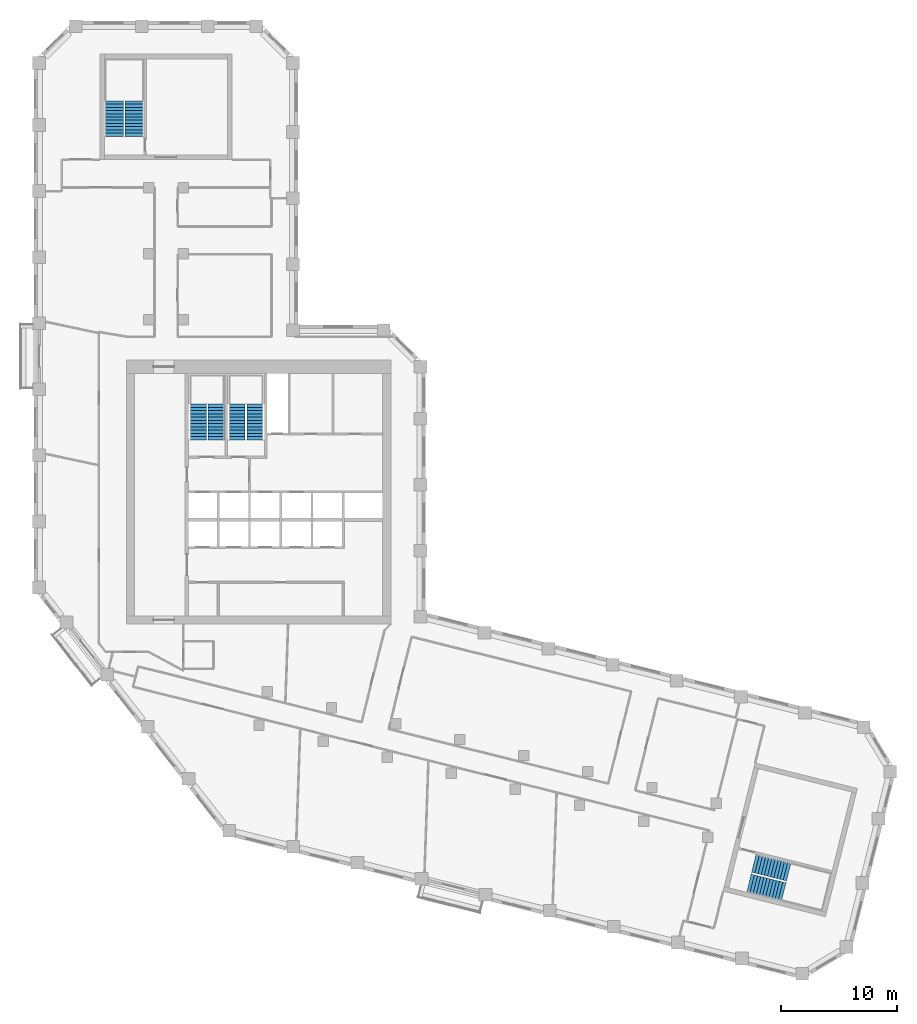
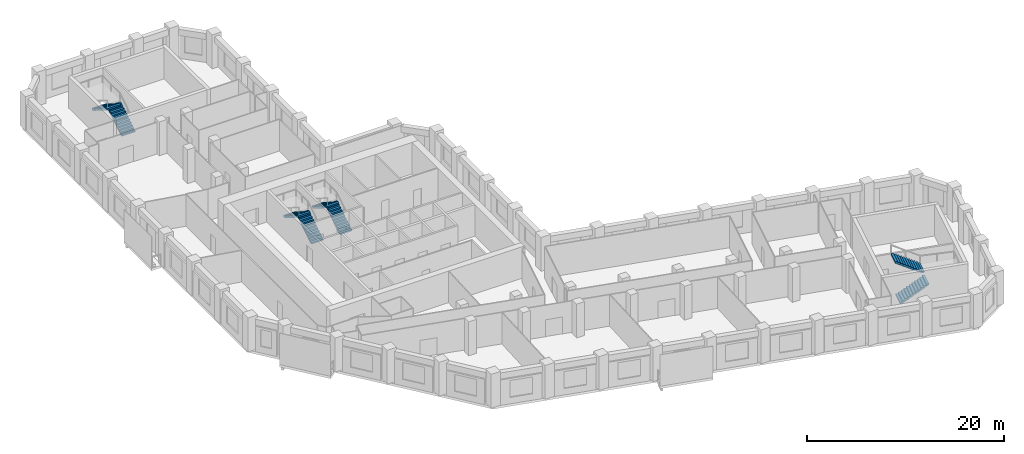
# One storey, part 9 of 10: 8 stair flights, 4 elements without a shape of their own.
"""IFC4 building model written with IfcOpenShell, lengths in metres."""

import ifcopenshell
import ifcopenshell.guid

model = None  # the IFC model being written
_history = None  # IfcOwnerHistory: only IFC2X3 demands one
_inside = {}  # id of a spatial element -> (the spatial element, [elements in it])
_under = {}  # id of a project, library or spatial element -> (it, [spatial elements below it])
_declared = {}  # id of a project -> (the project, [libraries it declares])
_typed = {}  # id of a type object -> (the type object, [elements of that type])
_made_of = {}  # id of a material, layer set ... -> (it, [elements and type objects made of it])


def new_model(schema):
    """Start an empty IFC model of exactly this schema.

    Asked for "IFC4X3", IfcOpenShell would pick the latest addendum, in which some entities
    have other attributes; the version numbers below select the first issue.
    IFC2X3 requires an IfcOwnerHistory on every rooted entity: one is made here for all.
    """
    global model, _history
    if schema == "IFC4X3":
        model = ifcopenshell.file(schema_version=(4, 3, 0, 0))
    else:
        model = ifcopenshell.file(schema=schema)
    _inside.clear()
    _under.clear()
    _declared.clear()
    _typed.clear()
    _made_of.clear()
    _history = None
    if model.schema == "IFC2X3":
        org = make("IfcOrganization", Name="unknown")
        user = make(
            "IfcPersonAndOrganization",
            ThePerson=make("IfcPerson", FamilyName="unknown"),
            TheOrganization=org,
        )
        app = make(
            "IfcApplication",
            ApplicationDeveloper=org,
            Version="unknown",
            ApplicationFullName="unknown",
            ApplicationIdentifier="unknown",
        )
        _history = make(
            "IfcOwnerHistory",
            OwningUser=user,
            OwningApplication=app,
            ChangeAction="ADDED",
            CreationDate=0,
        )
    return model


def make(cls, **values):
    """One entity of the class cls with the attributes given. An attribute that is None is left unset."""
    return model.create_entity(
        cls, **{name: value for name, value in values.items() if value is not None}
    )


def rooted(cls, **values):
    """An entity with a GlobalId (a new one), such as an element, a storey or a relation."""
    return make(cls, GlobalId=ifcopenshell.guid.new(), OwnerHistory=_history, **values)


def si_unit(unit_type, name, prefix=None):
    """IfcSIUnit, for example si_unit("LENGTHUNIT", "METRE", prefix="MILLI")."""
    return make("IfcSIUnit", UnitType=unit_type, Prefix=prefix, Name=name)


def assignment(units):
    """IfcUnitAssignment: the units of a project."""
    return None if units is None else make("IfcUnitAssignment", Units=units)


def point(xyz):
    """IfcCartesianPoint."""
    return None if xyz is None else make("IfcCartesianPoint", Coordinates=xyz)


def direction(xyz):
    """IfcDirection."""
    return None if xyz is None else make("IfcDirection", DirectionRatios=xyz)


def frame(location, z_axis=None, x_axis=None):
    """IfcAxis2Placement3D, a coordinate frame: its origin and axes. An axis left out is left unset."""
    return make(
        "IfcAxis2Placement3D",
        Location=point(location),
        Axis=direction(z_axis),
        RefDirection=direction(x_axis),
    )


def origin():
    """The frame at (0, 0, 0) with its axes left unset."""
    return frame((0.0, 0.0, 0.0))


def place(relative_to, where):
    """IfcLocalPlacement: puts the frame where relative to a parent placement (None: the world)."""
    return make(
        "IfcLocalPlacement", PlacementRelTo=relative_to, RelativePlacement=where
    )


def context(
    kind, dimensions, precision=None, world=None, true_north=None, identifier=None
):
    """IfcGeometricRepresentationContext, for example the 3D "Model" context."""
    return make(
        "IfcGeometricRepresentationContext",
        ContextIdentifier=identifier,
        ContextType=kind,
        CoordinateSpaceDimension=dimensions,
        Precision=precision,
        WorldCoordinateSystem=world,
        TrueNorth=true_north,
    )


def subcontext(parent, identifier, kind, view, scale=None):
    """IfcGeometricRepresentationSubContext, for example "Body" below "Model"."""
    return make(
        "IfcGeometricRepresentationSubContext",
        ContextIdentifier=identifier,
        ContextType=kind,
        ParentContext=parent,
        TargetScale=scale,
        TargetView=view,
    )


def project(units=None, contexts=None):
    """IfcProject with its units and contexts."""
    return rooted(
        "IfcProject",
        Name="project",
        RepresentationContexts=contexts,
        UnitsInContext=assignment(units),
    )


def spatial(cls, under=None, at=None, **own):
    """A site, building, storey or space (cls), placed at a placement, below another one or the project."""
    s = rooted(cls, ObjectPlacement=at, **own)
    if under is not None:
        _under.setdefault(under.id(), (under, []))[1].append(s)
    return s


def polyline(points):
    """IfcPolyline through the points."""
    return make("IfcPolyline", Points=[point(p) for p in points])


def outline(outer, holes=None, kind="AREA"):
    """IfcArbitraryClosedProfileDef: a profile drawn as a closed curve; with holes, ...WithVoids."""
    if holes is None:
        return make("IfcArbitraryClosedProfileDef", ProfileType=kind, OuterCurve=outer)
    return make(
        "IfcArbitraryProfileDefWithVoids",
        ProfileType=kind,
        OuterCurve=outer,
        InnerCurves=holes,
    )


def extrude(swept, where, along, depth):
    """IfcExtrudedAreaSolid: the profile swept, set in the frame where, extruded along a direction by depth."""
    return make(
        "IfcExtrudedAreaSolid",
        SweptArea=swept,
        Position=where,
        ExtrudedDirection=direction(along),
        Depth=depth,
    )


def shape(context_of_items, identifier, shape_type, items):
    """IfcShapeRepresentation: the items that make up one representation, for example the "Body"."""
    return make(
        "IfcShapeRepresentation",
        ContextOfItems=context_of_items,
        RepresentationIdentifier=identifier,
        RepresentationType=shape_type,
        Items=items,
    )


def material(Name=None, Category=None):
    """IfcMaterial."""
    return make("IfcMaterial", Name=Name, Category=Category)


def made_of(thing, what):
    """Note that an element or type object is made of a material, layer set ...; save() writes the relation."""
    if what is not None:
        _made_of.setdefault(what.id(), (what, []))[1].append(thing)
    return thing


def type_object(cls, material=None, **own):
    """A type object (cls), such as IfcWallType, which elements share."""
    return made_of(rooted(cls, **own), material)


def element(
    cls,
    number,
    at=None,
    inside=None,
    cuts=None,
    type_object=None,
    material=None,
    context=None,
    identifier="Body",
    shape_type=None,
    held_by="IfcProductDefinitionShape",
    body=None,
    shapes=None,
    **own,
):
    """One element of the class cls, such as IfcWall. Its Tag is "e" and its number.

    at: its placement. inside: the storey or other place that contains it. cuts: it is an
    opening in that element (IfcRelVoidsElement). A single representation is given by context,
    identifier, shape_type and body (its items); several are given by shapes. held_by: the class
    of the entity that holds the representations. save() writes the other relations.
    """
    e = rooted(cls, Tag="e%d" % number, ObjectPlacement=at, **own)
    if body is not None:
        shapes = [shape(context, identifier, shape_type, body)]
    if shapes is not None:
        e.Representation = make(held_by, Representations=shapes)
    if inside is not None:
        _inside.setdefault(inside.id(), (inside, []))[1].append(e)
    if cuts is not None:
        rooted(
            "IfcRelVoidsElement", RelatingBuildingElement=cuts, RelatedOpeningElement=e
        )
    if type_object is not None:
        _typed.setdefault(type_object.id(), (type_object, []))[1].append(e)
    return made_of(e, material)


def aggregate(whole, parts):
    """IfcRelAggregates: a whole, such as a stair, and the parts it consists of."""
    return rooted("IfcRelAggregates", RelatingObject=whole, RelatedObjects=parts)


def save(model, path):
    """Write the relations noted so far, then the file.

    IfcRelAggregates (storeys below a building ...), IfcRelContainedInSpatialStructure (elements
    in a storey), IfcRelDefinesByType, IfcRelAssociatesMaterial and IfcRelDeclares: one each for
    every whole, place, type object, material and project.
    """
    for whole, parts in _under.values():
        aggregate(whole, parts)
    for where, things in _inside.values():
        rooted(
            "IfcRelContainedInSpatialStructure",
            RelatedElements=things,
            RelatingStructure=where,
        )
    for kind, things in _typed.values():
        rooted("IfcRelDefinesByType", RelatedObjects=things, RelatingType=kind)
    for what, things in _made_of.values():
        rooted("IfcRelAssociatesMaterial", RelatedObjects=things, RelatingMaterial=what)
    for by, libraries in _declared.values():
        rooted("IfcRelDeclares", RelatingContext=by, RelatedDefinitions=libraries)
    model.write(path)


model = new_model("IFC4")

# Units and contexts
model_context = context("Model", 3, precision=1e-05, world=origin(), true_north=direction((0.0, 1.0)))
body_context = subcontext(model_context, "Body", "Model", "MODEL_VIEW")
ifc_project = project(units=[si_unit("LENGTHUNIT", "METRE"), si_unit("AREAUNIT", "SQUARE_METRE"), si_unit("VOLUMEUNIT", "CUBIC_METRE"), si_unit("PLANEANGLEUNIT", "RADIAN"), si_unit("MASSUNIT", "GRAM", prefix="KILO")], contexts=[model_context])

# Site, building, storey
site_placement = place(None, origin())
site = spatial("IfcSite", under=ifc_project, at=site_placement, CompositionType="ELEMENT")
building_placement = place(site_placement, origin())
building = spatial("IfcBuilding", under=site, at=building_placement, Name="Meshkara Civic Tower", CompositionType="ELEMENT")
storey_placement = place(building_placement, frame((0.0, 0.0, 250.800048828125)))
storey = spatial("IfcBuildingStorey", under=building, at=storey_placement, Name="L57", CompositionType="ELEMENT", Elevation=250.800048828125)

# Stair, stair flights
ifc_material_1 = material(Name="Precast concrete C40/50", Category="concrete")
stair_type_1 = type_object("IfcStairType", Name="Exit stair half-turn 24 risers 1600 precast", PredefinedType="HALF_TURN_STAIR", material=ifc_material_1)
stair_1_placement = place(storey_placement, origin())
stair_1 = element("IfcStair", 1, at=stair_1_placement, inside=storey, type_object=stair_type_1, Name="L57 exit stair A from L50", PredefinedType="HALF_TURN_STAIR")
ifc_material_2 = material(Name="Precast concrete C40/50", Category="concrete")
stair_flight_type_1 = type_object("IfcStairFlightType", Name="Exit stair flight 12 risers 1600 precast", PredefinedType="STRAIGHT", material=ifc_material_2)
stair_flight_1_placement = place(storey_placement, frame((8.675048828125, 56.169921875, 0.0), z_axis=(0.0, 0.0, 1.0), x_axis=(0.0, 1.0, 0.0)))
stair_flight_1 = element("IfcStairFlight", 2, at=stair_flight_1_placement, type_object=stair_flight_type_1, Name="ESA4 flight 1", NumberOfRisers=12, NumberOfTreads=11, PredefinedType="STRAIGHT", RiserHeight=0.175, TreadLength=0.28, context=body_context, shape_type="SweptSolid", body=[
    extrude(outline(polyline([(0.0, 0.0), (0.0, 0.175048828125), (0.280029296875, 0.175048828125), (0.280029296875, 0.35009765625), (0.56005859375, 0.35009765625), (0.56005859375, 0.52490234375), (0.840087890625, 0.52490234375), (0.840087890625, 0.699951171875), (1.1201171875, 0.699951171875), (1.1201171875, 0.875), (1.39990234375, 0.875), (1.39990234375, 1.050048828125), (1.679931640625, 1.050048828125), (1.679931640625, 1.22509765625), (1.9599609375, 1.22509765625), (1.9599609375, 1.39990234375), (2.239990234375, 1.39990234375), (2.239990234375, 1.574951171875), (2.52001953125, 1.574951171875), (2.52001953125, 1.75), (2.800048828125, 1.75), (2.800048828125, 1.925048828125), (3.080078125, 1.925048828125), (3.080078125, 2.10009765625), (3.080078125, 1.748291015625), (0.28271484375, 0.0), (0.0, 0.0)])), frame((0.0, 0.800048828125, 0.0), z_axis=(0.0, -1.0, 0.0), x_axis=(1.0, 0.0, 0.0)), (0.0, 0.0, 1.0), 1.60009765625),
])
stair_flight_2_placement = place(storey_placement, frame((6.925048828125, 59.25, 2.099853515625), z_axis=(0.0, 0.0, 1.0), x_axis=(0.0, -1.0, 0.0)))
stair_flight_2 = element("IfcStairFlight", 3, at=stair_flight_2_placement, type_object=stair_flight_type_1, Name="ESA4 flight 2", NumberOfRisers=12, NumberOfTreads=11, PredefinedType="STRAIGHT", RiserHeight=0.175, TreadLength=0.28, context=body_context, shape_type="SweptSolid", body=[
    extrude(outline(polyline([(0.0, 0.0), (0.0, 0.175048828125), (0.280029296875, 0.175048828125), (0.280029296875, 0.35009765625), (0.56005859375, 0.35009765625), (0.56005859375, 0.52490234375), (0.840087890625, 0.52490234375), (0.840087890625, 0.699951171875), (1.1201171875, 0.699951171875), (1.1201171875, 0.875), (1.39990234375, 0.875), (1.39990234375, 1.050048828125), (1.679931640625, 1.050048828125), (1.679931640625, 1.22509765625), (1.9599609375, 1.22509765625), (1.9599609375, 1.39990234375), (2.239990234375, 1.39990234375), (2.239990234375, 1.574951171875), (2.52001953125, 1.574951171875), (2.52001953125, 1.75), (2.800048828125, 1.75), (2.800048828125, 1.925048828125), (3.080078125, 1.925048828125), (3.080078125, 2.10009765625), (3.080078125, 1.748291015625), (0.28271484375, 0.0), (0.0, 0.0)])), frame((0.0, 0.800048828125, 0.0), z_axis=(0.0, -1.0, 0.0), x_axis=(1.0, 0.0, 0.0)), (0.0, 0.0, 1.0), 1.60009765625),
])
aggregate(stair_1, [stair_flight_1, stair_flight_2])

stair_2_placement = place(storey_placement, origin())
stair_2 = element("IfcStair", 4, at=stair_2_placement, inside=storey, type_object=stair_type_1, Name="L57 exit stair B from L50", PredefinedType="HALF_TURN_STAIR")
stair_flight_3_placement = place(storey_placement, frame((61.70751953125, -8.248291015625, 0.0), z_axis=(0.0, 0.0, 1.0), x_axis=(0.970260066579, -0.242064873955, 0.0)))
stair_flight_3 = element("IfcStairFlight", 5, at=stair_flight_3_placement, type_object=stair_flight_type_1, Name="ESB4 flight 1", NumberOfRisers=12, NumberOfTreads=11, PredefinedType="STRAIGHT", RiserHeight=0.175, TreadLength=0.28, context=body_context, shape_type="SweptSolid", body=[
    extrude(outline(polyline([(0.0, 0.0), (0.0, 0.175048828125), (0.280029296875, 0.175048828125), (0.280029296875, 0.35009765625), (0.56005859375, 0.35009765625), (0.56005859375, 0.52490234375), (0.840087890625, 0.52490234375), (0.840087890625, 0.699951171875), (1.1201171875, 0.699951171875), (1.1201171875, 0.875), (1.39990234375, 0.875), (1.39990234375, 1.050048828125), (1.679931640625, 1.050048828125), (1.679931640625, 1.22509765625), (1.9599609375, 1.22509765625), (1.9599609375, 1.39990234375), (2.239990234375, 1.39990234375), (2.239990234375, 1.574951171875), (2.52001953125, 1.574951171875), (2.52001953125, 1.75), (2.800048828125, 1.75), (2.800048828125, 1.925048828125), (3.080078125, 1.925048828125), (3.080078125, 2.10009765625), (3.080078125, 1.748291015625), (0.28271484375, 0.0), (0.0, 0.0)])), frame((0.0, 0.800048828125, 0.0), z_axis=(0.0, -1.0, 0.0), x_axis=(1.0, 0.0, 0.0)), (0.0, 0.0, 1.0), 1.60009765625),
])
stair_flight_4_placement = place(storey_placement, frame((65.11962890625, -7.2958984375, 2.099853515625), z_axis=(0.0, 0.0, 1.0), x_axis=(-0.970260066579, 0.242064873955, 0.0)))
stair_flight_4 = element("IfcStairFlight", 6, at=stair_flight_4_placement, type_object=stair_flight_type_1, Name="ESB4 flight 2", NumberOfRisers=12, NumberOfTreads=11, PredefinedType="STRAIGHT", RiserHeight=0.175, TreadLength=0.28, context=body_context, shape_type="SweptSolid", body=[
    extrude(outline(polyline([(0.0, 0.0), (0.0, 0.175048828125), (0.280029296875, 0.175048828125), (0.280029296875, 0.35009765625), (0.56005859375, 0.35009765625), (0.56005859375, 0.52490234375), (0.840087890625, 0.52490234375), (0.840087890625, 0.699951171875), (1.1201171875, 0.699951171875), (1.1201171875, 0.875), (1.39990234375, 0.875), (1.39990234375, 1.050048828125), (1.679931640625, 1.050048828125), (1.679931640625, 1.22509765625), (1.9599609375, 1.22509765625), (1.9599609375, 1.39990234375), (2.239990234375, 1.39990234375), (2.239990234375, 1.574951171875), (2.52001953125, 1.574951171875), (2.52001953125, 1.75), (2.800048828125, 1.75), (2.800048828125, 1.925048828125), (3.080078125, 1.925048828125), (3.080078125, 2.10009765625), (3.080078125, 1.748291015625), (0.28271484375, 0.0), (0.0, 0.0)])), frame((0.0, 0.800048828125, 0.0), z_axis=(0.0, -1.0, 0.0), x_axis=(1.0, 0.0, 0.0)), (0.0, 0.0, 1.0), 1.60009765625),
])
aggregate(stair_2, [stair_flight_3, stair_flight_4])

ifc_material_3 = material(Name="Precast concrete C40/50", Category="concrete")
stair_type_2 = type_object("IfcStairType", Name="Exit stair half-turn 24 risers precast", PredefinedType="HALF_TURN_STAIR", material=ifc_material_3)
stair_3_placement = place(storey_placement, origin())
stair_3 = element("IfcStair", 7, at=stair_3_placement, inside=storey, type_object=stair_type_2, Name="L57 exit stair 1", PredefinedType="HALF_TURN_STAIR")
ifc_material_4 = material(Name="Precast concrete C40/50", Category="concrete")
stair_flight_type_2 = type_object("IfcStairFlightType", Name="Exit stair flight 12 risers precast", PredefinedType="STRAIGHT", material=ifc_material_4)
stair_flight_5_placement = place(storey_placement, frame((15.72509765625, 30.0, 0.0), z_axis=(0.0, 0.0, 1.0), x_axis=(0.0, 1.0, 0.0)))
stair_flight_5 = element("IfcStairFlight", 8, at=stair_flight_5_placement, type_object=stair_flight_type_2, Name="ST1 flight 1", NumberOfRisers=12, NumberOfTreads=11, PredefinedType="STRAIGHT", RiserHeight=0.175, TreadLength=0.28, context=body_context, shape_type="SweptSolid", body=[
    extrude(outline(polyline([(0.0, 0.0), (0.0, 0.175048828125), (0.280029296875, 0.175048828125), (0.280029296875, 0.35009765625), (0.56005859375, 0.35009765625), (0.56005859375, 0.52490234375), (0.840087890625, 0.52490234375), (0.840087890625, 0.699951171875), (1.1201171875, 0.699951171875), (1.1201171875, 0.875), (1.39990234375, 0.875), (1.39990234375, 1.050048828125), (1.679931640625, 1.050048828125), (1.679931640625, 1.22509765625), (1.9599609375, 1.22509765625), (1.9599609375, 1.39990234375), (2.239990234375, 1.39990234375), (2.239990234375, 1.574951171875), (2.52001953125, 1.574951171875), (2.52001953125, 1.75), (2.800048828125, 1.75), (2.800048828125, 1.925048828125), (3.080078125, 1.925048828125), (3.080078125, 2.10009765625), (3.080078125, 1.748291015625), (0.28271484375, 0.0), (0.0, 0.0)])), frame((0.0, 0.699951171875, 0.0), z_axis=(0.0, -1.0, 0.0), x_axis=(1.0, 0.0, 0.0)), (0.0, 0.0, 1.0), 1.39990234375),
])
stair_flight_6_placement = place(storey_placement, frame((14.175048828125, 33.080078125, 2.099853515625), z_axis=(0.0, 0.0, 1.0), x_axis=(0.0, -1.0, 0.0)))
stair_flight_6 = element("IfcStairFlight", 9, at=stair_flight_6_placement, type_object=stair_flight_type_2, Name="ST1 flight 2", NumberOfRisers=12, NumberOfTreads=11, PredefinedType="STRAIGHT", RiserHeight=0.175, TreadLength=0.28, context=body_context, shape_type="SweptSolid", body=[
    extrude(outline(polyline([(0.0, 0.0), (0.0, 0.175048828125), (0.280029296875, 0.175048828125), (0.280029296875, 0.35009765625), (0.56005859375, 0.35009765625), (0.56005859375, 0.52490234375), (0.840087890625, 0.52490234375), (0.840087890625, 0.699951171875), (1.1201171875, 0.699951171875), (1.1201171875, 0.875), (1.39990234375, 0.875), (1.39990234375, 1.050048828125), (1.679931640625, 1.050048828125), (1.679931640625, 1.22509765625), (1.9599609375, 1.22509765625), (1.9599609375, 1.39990234375), (2.239990234375, 1.39990234375), (2.239990234375, 1.574951171875), (2.52001953125, 1.574951171875), (2.52001953125, 1.75), (2.800048828125, 1.75), (2.800048828125, 1.925048828125), (3.080078125, 1.925048828125), (3.080078125, 2.10009765625), (3.080078125, 1.748291015625), (0.28271484375, 0.0), (0.0, 0.0)])), frame((0.0, 0.699951171875, 0.0), z_axis=(0.0, -1.0, 0.0), x_axis=(1.0, 0.0, 0.0)), (0.0, 0.0, 1.0), 1.39990234375),
])
aggregate(stair_3, [stair_flight_5, stair_flight_6])

stair_4_placement = place(storey_placement, origin())
stair_4 = element("IfcStair", 10, at=stair_4_placement, inside=storey, type_object=stair_type_2, Name="L57 exit stair 2", PredefinedType="HALF_TURN_STAIR")
stair_flight_7_placement = place(storey_placement, frame((19.074951171875, 30.0, 0.0), z_axis=(0.0, 0.0, 1.0), x_axis=(0.0, 1.0, 0.0)))
stair_flight_7 = element("IfcStairFlight", 11, at=stair_flight_7_placement, type_object=stair_flight_type_2, Name="ST2 flight 1", NumberOfRisers=12, NumberOfTreads=11, PredefinedType="STRAIGHT", RiserHeight=0.175, TreadLength=0.28, context=body_context, shape_type="SweptSolid", body=[
    extrude(outline(polyline([(0.0, 0.0), (0.0, 0.175048828125), (0.280029296875, 0.175048828125), (0.280029296875, 0.35009765625), (0.56005859375, 0.35009765625), (0.56005859375, 0.52490234375), (0.840087890625, 0.52490234375), (0.840087890625, 0.699951171875), (1.1201171875, 0.699951171875), (1.1201171875, 0.875), (1.39990234375, 0.875), (1.39990234375, 1.050048828125), (1.679931640625, 1.050048828125), (1.679931640625, 1.22509765625), (1.9599609375, 1.22509765625), (1.9599609375, 1.39990234375), (2.239990234375, 1.39990234375), (2.239990234375, 1.574951171875), (2.52001953125, 1.574951171875), (2.52001953125, 1.75), (2.800048828125, 1.75), (2.800048828125, 1.925048828125), (3.080078125, 1.925048828125), (3.080078125, 2.10009765625), (3.080078125, 1.748291015625), (0.28271484375, 0.0), (0.0, 0.0)])), frame((0.0, 0.699951171875, 0.0), z_axis=(0.0, -1.0, 0.0), x_axis=(1.0, 0.0, 0.0)), (0.0, 0.0, 1.0), 1.39990234375),
])
stair_flight_8_placement = place(storey_placement, frame((17.52490234375, 33.080078125, 2.099853515625), z_axis=(0.0, 0.0, 1.0), x_axis=(0.0, -1.0, 0.0)))
stair_flight_8 = element("IfcStairFlight", 12, at=stair_flight_8_placement, type_object=stair_flight_type_2, Name="ST2 flight 2", NumberOfRisers=12, NumberOfTreads=11, PredefinedType="STRAIGHT", RiserHeight=0.175, TreadLength=0.28, context=body_context, shape_type="SweptSolid", body=[
    extrude(outline(polyline([(0.0, 0.0), (0.0, 0.175048828125), (0.280029296875, 0.175048828125), (0.280029296875, 0.35009765625), (0.56005859375, 0.35009765625), (0.56005859375, 0.52490234375), (0.840087890625, 0.52490234375), (0.840087890625, 0.699951171875), (1.1201171875, 0.699951171875), (1.1201171875, 0.875), (1.39990234375, 0.875), (1.39990234375, 1.050048828125), (1.679931640625, 1.050048828125), (1.679931640625, 1.22509765625), (1.9599609375, 1.22509765625), (1.9599609375, 1.39990234375), (2.239990234375, 1.39990234375), (2.239990234375, 1.574951171875), (2.52001953125, 1.574951171875), (2.52001953125, 1.75), (2.800048828125, 1.75), (2.800048828125, 1.925048828125), (3.080078125, 1.925048828125), (3.080078125, 2.10009765625), (3.080078125, 1.748291015625), (0.28271484375, 0.0), (0.0, 0.0)])), frame((0.0, 0.699951171875, 0.0), z_axis=(0.0, -1.0, 0.0), x_axis=(1.0, 0.0, 0.0)), (0.0, 0.0, 1.0), 1.39990234375),
])
aggregate(stair_4, [stair_flight_7, stair_flight_8])

save(model, "model.ifc")
